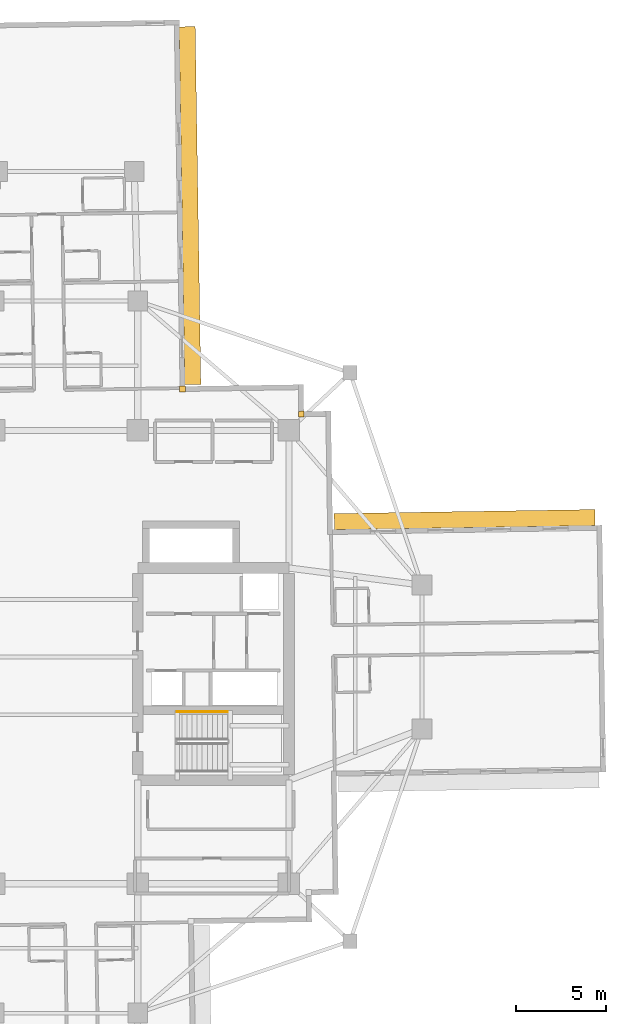
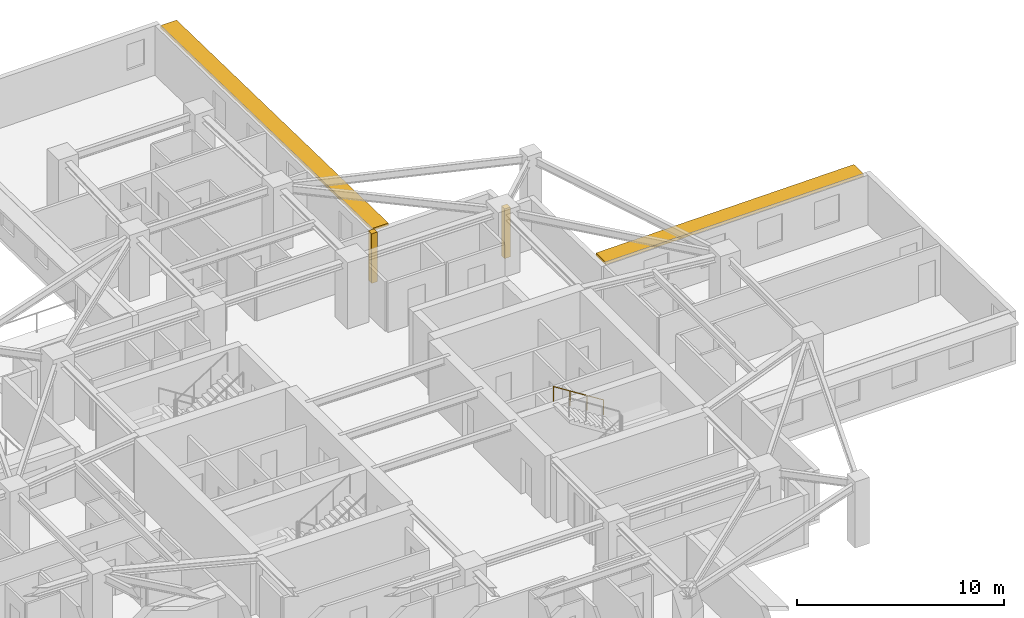
# One storey, part 13 of 13: 2 coverings, 2 shading devices, 1 railing.
"""IFC4 building model written with IfcOpenShell, lengths in metres."""

from ifc_helpers import new_model, si_unit, direction, frame, origin, origin_2d, place, context, subcontext, project, spatial, rectangle, circle, extrude, material, layer, layer_set, type_object, element, save


model = new_model("IFC4")

# Units and contexts
model_context = context("Model", 3, precision=1e-05, world=origin(), true_north=direction((0.0, 1.0)))
body_context = subcontext(model_context, "Body", "Model", "MODEL_VIEW")
ifc_project = project(units=[si_unit("LENGTHUNIT", "METRE"), si_unit("AREAUNIT", "SQUARE_METRE"), si_unit("VOLUMEUNIT", "CUBIC_METRE"), si_unit("PLANEANGLEUNIT", "RADIAN"), si_unit("MASSUNIT", "GRAM", prefix="KILO")], contexts=[model_context])

# Site, building, storey
site_placement = place(None, origin())
site = spatial("IfcSite", under=ifc_project, at=site_placement, CompositionType="ELEMENT")
building_placement = place(site_placement, origin())
building = spatial("IfcBuilding", under=site, at=building_placement, Name="Qingluan Cross Belvedere", CompositionType="ELEMENT")
storey_placement = place(building_placement, frame((0.0, 0.0, 139.800048828125)))
storey = spatial("IfcBuildingStorey", under=building, at=storey_placement, Name="L35", CompositionType="ELEMENT", Elevation=139.800048828125)

# Coverings
ifc_material_1 = material(Name="Precast concrete C45", Category="concrete")
ifc_layer_1 = layer(ifc_material_1, 0.1201171875, Name="ConcreteSpandrelCladding_120")
ifc_layer_set_1 = layer_set([ifc_layer_1], Name="Precast concrete C45")
covering_type = type_object("IfcCoveringType", Name="ConcreteSpandrelCladding_120", PredefinedType="CLADDING", material=ifc_layer_set_1)
for number, where, z_axis, x_axis, name in (
    (1, (13.089599609375, 13.50732421875, 0.0), (0.0, 0.0, 1.0), (0.999876632482, 0.015707317312, 0.0), "Corner closure L35-NE1"),
    (2, (6.48681640625, 14.90380859375, 0.0), (0.0, 0.0, 1.0), (0.999876632482, 0.015707317312, 0.0), "Corner closure L35-NE2"),
):
    element("IfcCovering", number, at=place(storey_placement, frame(where, z_axis=z_axis, x_axis=x_axis)), inside=storey, type_object=covering_type, Name=name, PredefinedType="CLADDING", context=body_context, shape_type="SweptSolid", body=[
        extrude(rectangle(XDim=0.320068359375, YDim=0.320068359375, at=origin_2d()), origin(), (0.0, 0.0, 1.0), 2.919921875),
    ])

# Shading devices
ifc_material_2 = material(Name="Precast concrete C45", Category="concrete")
ifc_layer_2 = layer(ifc_material_2, 0.159912109375, Name="ConcreteSunshadeBand_900")
ifc_layer_set_2 = layer_set([ifc_layer_2], Name="Precast concrete C45")
shading_device_type = type_object("IfcShadingDeviceType", Name="ConcreteSunshadeBand_900", PredefinedType="USERDEFINED", material=ifc_layer_set_2)
shading_device_1_placement = place(storey_placement, frame((22.172607421875, 7.63916015625, 2.740234375), z_axis=(0.0, 0.0, 1.0), x_axis=(-0.999876630106, -0.015707468526, 0.0)))
element("IfcShadingDevice", 3, at=shading_device_1_placement, inside=storey, type_object=shading_device_type, Name="Concrete SUNSHADE L35-EB", ObjectType="SUNSHADE", PredefinedType="USERDEFINED", context=body_context, shape_type="SweptSolid", body=[
    extrude(rectangle(XDim=14.5, YDim=0.89990234375, at=origin_2d()), origin(), (0.0, 0.0, 1.0), 0.159912109375),
])
shading_device_2_placement = place(storey_placement, frame((6.896484375, 25.101318359375, 2.740234375), z_axis=(0.0, 0.0, 1.0), x_axis=(-0.015706483741, 0.999876645576, 0.0)))
element("IfcShadingDevice", 4, at=shading_device_2_placement, inside=storey, type_object=shading_device_type, Name="Concrete SUNSHADE L35-NA", ObjectType="SUNSHADE", PredefinedType="USERDEFINED", context=body_context, shape_type="SweptSolid", body=[
    extrude(rectangle(XDim=19.89990234375, YDim=0.89990234375, at=origin_2d()), origin(), (0.0, 0.0, 1.0), 0.159912109375),
])

# Railing
ifc_material_3 = material(Name="Brushed stainless steel tubular handrail", Category="steel")
railing_type = type_object("IfcRailingType", Name="StairPitchHandrail_900", PredefinedType="HANDRAIL", material=ifc_material_3)
railing_placement = place(storey_placement, frame((8.97998046875, -3.050048828125, 2.127197265625)))
element("IfcRailing", 5, at=railing_placement, inside=storey, type_object=railing_type, Name="L35 ST2 stair handrail 2", PredefinedType="HANDRAIL", context=body_context, shape_type="SweptSolid", body=[
    extrude(circle(Radius=0.02392578125, at=origin_2d()), frame((0.0, 0.0, 0.8759765625), z_axis=(-0.844908973607, 0.0, 0.534910110503), x_axis=(0.0, -1.0, 0.0)), (0.0, 0.0, 1.0), 3.31396484375),
    extrude(circle(Radius=0.02099609375, at=origin_2d()), origin(), (0.0, 0.0, 1.0), 0.851806640625),
    extrude(circle(Radius=0.02099609375, at=origin_2d()), frame((-0.933349609375, 0.0, 0.5908203125)), (0.0, 0.0, 1.0), 0.851806640625),
    extrude(circle(Radius=0.02099609375, at=origin_2d()), frame((-1.86669921875, 0.0, 1.181884765625)), (0.0, 0.0, 1.0), 0.851806640625),
    extrude(circle(Radius=0.02099609375, at=origin_2d()), frame((-2.800048828125, 0.0, 1.772705078125)), (0.0, 0.0, 1.0), 0.851806640625),
])

save(model, "model.ifc")
